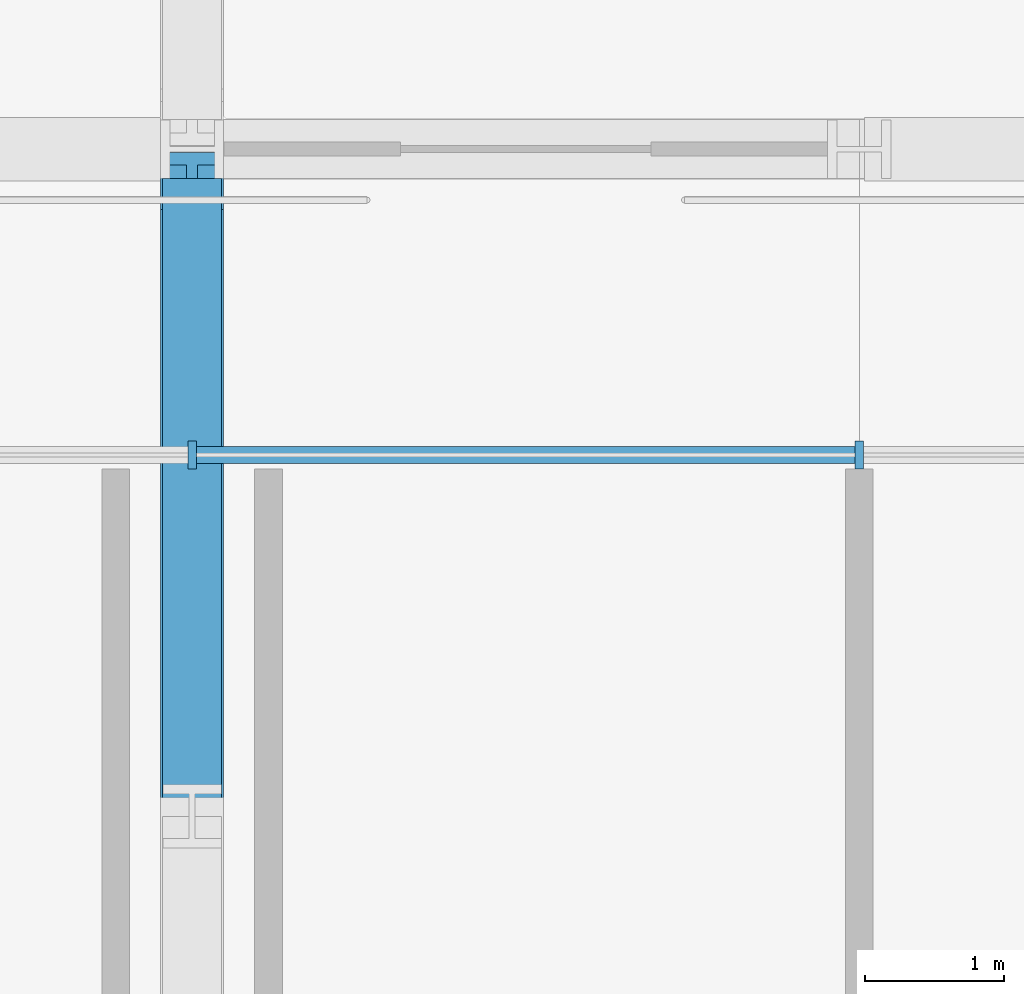
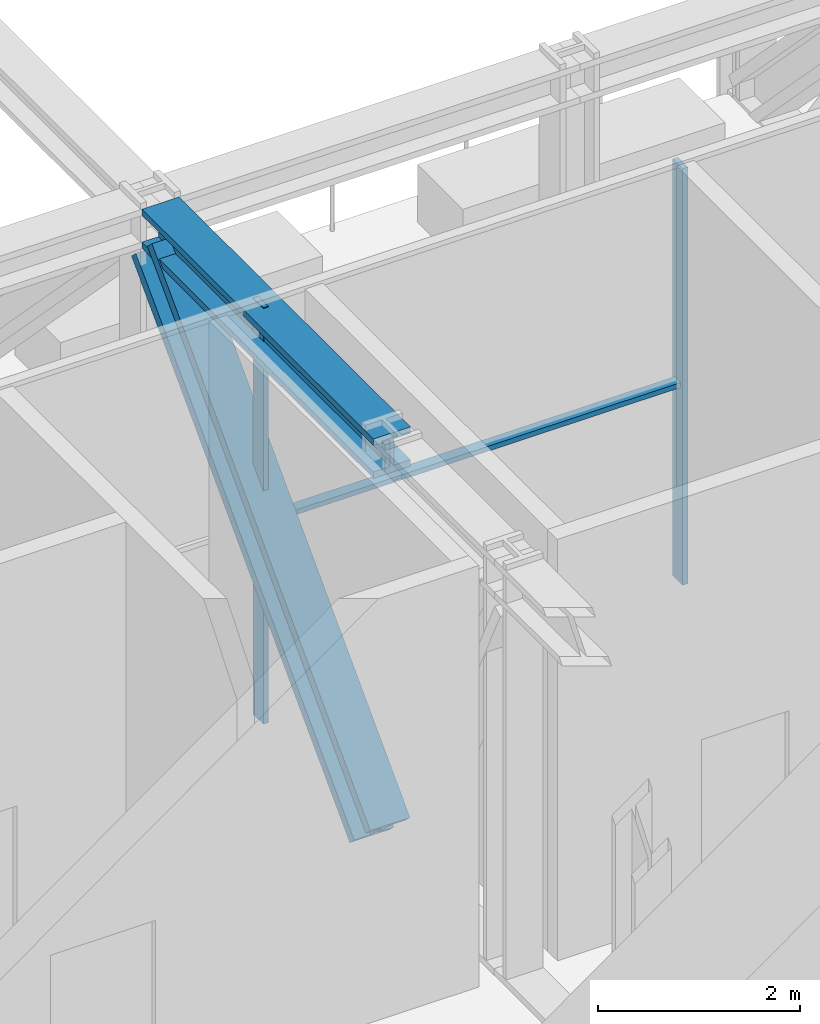
# One storey, part 10 of 27: 5 members, 1 element without a shape of its own.
"""IFC4 building model written with IfcOpenShell, lengths in metres."""

from ifc_helpers import new_model, si_unit, direction, frame, origin, origin_2d, place, context, subcontext, project, spatial, rectangle, i_section, extrude, material, layer, layer_set, material_profile, profile_set, type_object, element, aggregate, save


model = new_model("IFC4")

# Units and contexts
model_context = context("Model", 3, precision=1e-05, world=origin(), true_north=direction((0.0, 1.0)))
body_context = subcontext(model_context, "Body", "Model", "MODEL_VIEW")
ifc_project = project(units=[si_unit("LENGTHUNIT", "METRE"), si_unit("AREAUNIT", "SQUARE_METRE"), si_unit("VOLUMEUNIT", "CUBIC_METRE"), si_unit("PLANEANGLEUNIT", "RADIAN"), si_unit("MASSUNIT", "GRAM", prefix="KILO")], contexts=[model_context])

# Site, building, storey
site_placement = place(None, origin())
site = spatial("IfcSite", under=ifc_project, at=site_placement, CompositionType="ELEMENT")
building_placement = place(site_placement, origin())
building = spatial("IfcBuilding", under=site, at=building_placement, Name="Madar Terraces", CompositionType="ELEMENT")
storey_placement = place(building_placement, frame((0.0, 0.0, 143.60009765625)))
storey = spatial("IfcBuildingStorey", under=building, at=storey_placement, Name="L37", CompositionType="ELEMENT", Elevation=143.60009765625)

# Curtain wall, members
ifc_material_1 = material(Name="Glass, ceramic frit dark grey, with black aluminium frame", Category="aluminium")
ifc_layer = layer(ifc_material_1, 0.199951171875)
ifc_layer_set = layer_set([ifc_layer], Name="Facade curtain wall, tall glazing")
curtain_wall_type = type_object("IfcCurtainWallType", Name="Facade curtain wall, tall glazing", PredefinedType="NOTDEFINED", material=ifc_layer_set)
curtain_wall_placement = place(storey_placement, origin())
curtain_wall = element("IfcCurtainWall", 1, at=curtain_wall_placement, inside=storey, type_object=curtain_wall_type, Name="Outer skin curtain wall north bay 1", PredefinedType="NOTDEFINED")
ifc_material_2 = material(Name="Aluminium, black anodised", Category="aluminium")
ifc_material_profile_1 = material_profile(ifc_material_2, rectangle(XDim=0.199951171875, YDim=0.06005859375, at=origin_2d()), Name="Facade mullion 60x200")
ifc_profile_set_1 = profile_set([ifc_material_profile_1], Name="Aluminium, black anodised")
member_type_1 = type_object("IfcMemberType", Name="Facade mullion 60x200", PredefinedType="MULLION", material=ifc_profile_set_1)
member_1_placement = place(storey_placement, frame((28.800048828125, 45.800048828125, 0.0), z_axis=(0.0, 0.0, 1.0), x_axis=(0.0, -1.0, 0.0)))
member_1 = element("IfcMember", 2, at=member_1_placement, type_object=member_type_1, Name="Mullion 5", PredefinedType="MULLION", context=body_context, shape_type="SweptSolid", body=[
    extrude(rectangle(XDim=0.199951171875, YDim=0.06005859375, at=origin_2d()), origin(), (0.0, 0.0, 1.0), 5.039794921875),
])
member_2_placement = place(storey_placement, frame((24.0, 45.800048828125, 0.0), z_axis=(0.0, 0.0, 1.0), x_axis=(0.0, -1.0, 0.0)))
member_2 = element("IfcMember", 3, at=member_2_placement, type_object=member_type_1, Name="Mullion 6", PredefinedType="MULLION", context=body_context, shape_type="SweptSolid", body=[
    extrude(rectangle(XDim=0.199951171875, YDim=0.06005859375, at=origin_2d()), origin(), (0.0, 0.0, 1.0), 5.039794921875),
])
ifc_material_3 = material(Name="Aluminium, black anodised", Category="aluminium")
ifc_material_profile_2 = material_profile(ifc_material_3, rectangle(XDim=0.1201171875, YDim=0.06005859375, at=origin_2d()), Name="Facade transom 60x120")
ifc_profile_set_2 = profile_set([ifc_material_profile_2], Name="Aluminium, black anodised")
member_type_2 = type_object("IfcMemberType", Name="Facade transom 60x120", PredefinedType="USERDEFINED", material=ifc_profile_set_2)
member_3_placement = place(storey_placement, frame((28.77001953125, 45.800048828125, 2.39990234375), z_axis=(-1.0, 0.0, 0.0), x_axis=(0.0, -1.0, 0.0)))
member_3 = element("IfcMember", 4, at=member_3_placement, type_object=member_type_2, Name="Transom 7", ObjectType="TRANSOM", PredefinedType="USERDEFINED", context=body_context, shape_type="SweptSolid", body=[
    extrude(rectangle(XDim=0.1201171875, YDim=0.06005859375, at=origin_2d()), origin(), (0.0, 0.0, 1.0), 4.739990234375),
])
aggregate(curtain_wall, [member_1, member_2, member_3])

# Members
ifc_material_4 = material(Name="Steel ASTM A913 Grade 65", Category="steel")
ifc_material_profile_3 = material_profile(ifc_material_4, i_section(OverallWidth=0.424072265625, OverallDepth=0.47509765625, WebThickness=0.0478515625, FlangeThickness=0.0771484375, at=origin_2d()), Name="W14x426")
ifc_profile_set_3 = profile_set([ifc_material_profile_3], Name="Steel ASTM A913 Grade 65")
member_type_3 = type_object("IfcMemberType", Name="TC5 W14x426", PredefinedType="CHORD", material=ifc_profile_set_3)
member_4_placement = place(storey_placement, frame((24.0, 47.787841796875, 4.79248046875), z_axis=(0.0, -1.0, 0.0), x_axis=(1.0, 0.0, 0.0)))
element("IfcMember", 5, at=member_4_placement, inside=storey, type_object=member_type_3, Name="Exoskeleton truss cross N24 top chord TC5", PredefinedType="CHORD", context=body_context, shape_type="SweptSolid", body=[
    extrude(i_section(OverallWidth=0.424072265625, OverallDepth=0.47509765625, WebThickness=0.0478515625, FlangeThickness=0.0771484375, at=origin_2d()), origin(), (0.0, 0.0, 1.0), 4.587890625),
])
ifc_material_5 = material(Name="Steel ASTM A913 Grade 65", Category="steel")
ifc_material_profile_4 = material_profile(ifc_material_5, i_section(OverallWidth=0.45458984375, OverallDepth=0.56884765625, WebThickness=0.077880859375, FlangeThickness=0.124755859375, at=origin_2d()), Name="W14x730")
ifc_profile_set_4 = profile_set([ifc_material_profile_4], Name="Steel ASTM A913 Grade 65")
member_type_4 = type_object("IfcMemberType", Name="TD5 W14x730", PredefinedType="BRACE", material=ifc_profile_set_4)
member_5_placement = place(storey_placement, frame((24.0, 47.770263671875, 4.554931640625), z_axis=(0.0, -0.695149746219, -0.718864959733), x_axis=(1.0, 0.0, 0.0)))
element("IfcMember", 6, at=member_5_placement, inside=storey, type_object=member_type_4, Name="Exoskeleton truss cross N24 diagonal TD5", PredefinedType="BRACE", context=body_context, shape_type="SweptSolid", body=[
    extrude(i_section(OverallWidth=0.45458984375, OverallDepth=0.56884765625, WebThickness=0.077880859375, FlangeThickness=0.124755859375, at=origin_2d()), origin(), (0.0, 0.0, 1.0), 6.228271484375),
])

save(model, "model.ifc")
